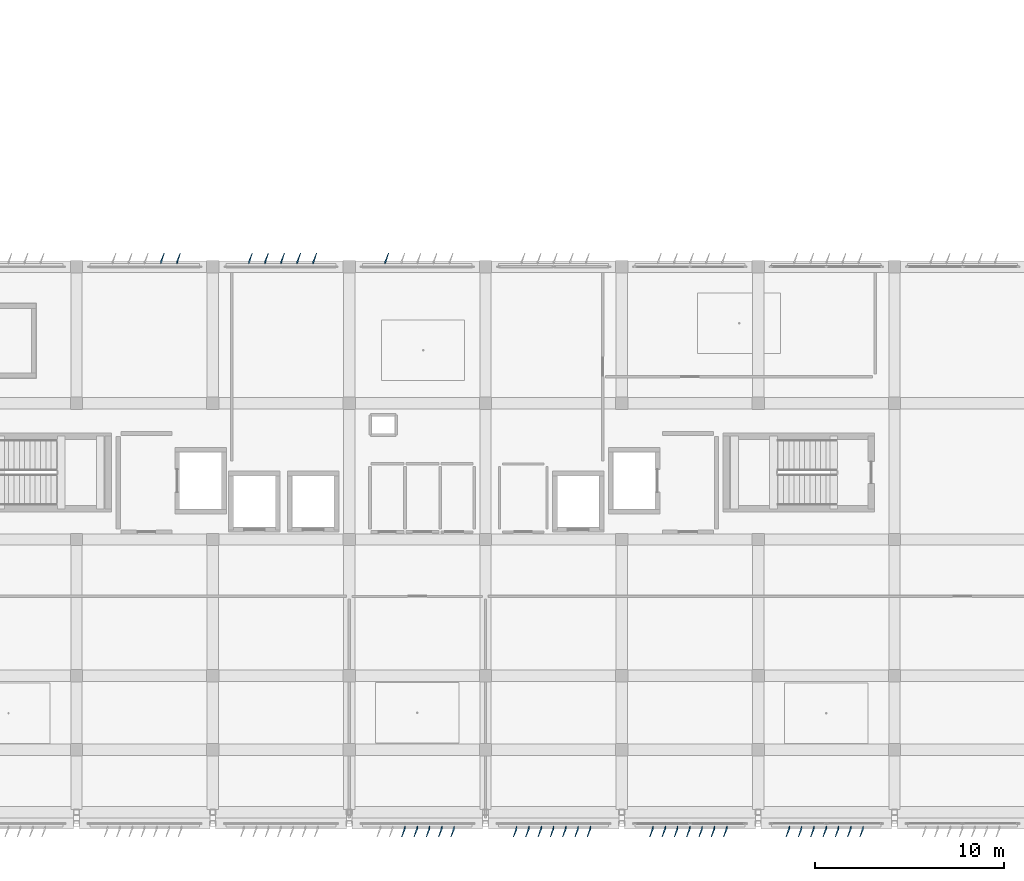
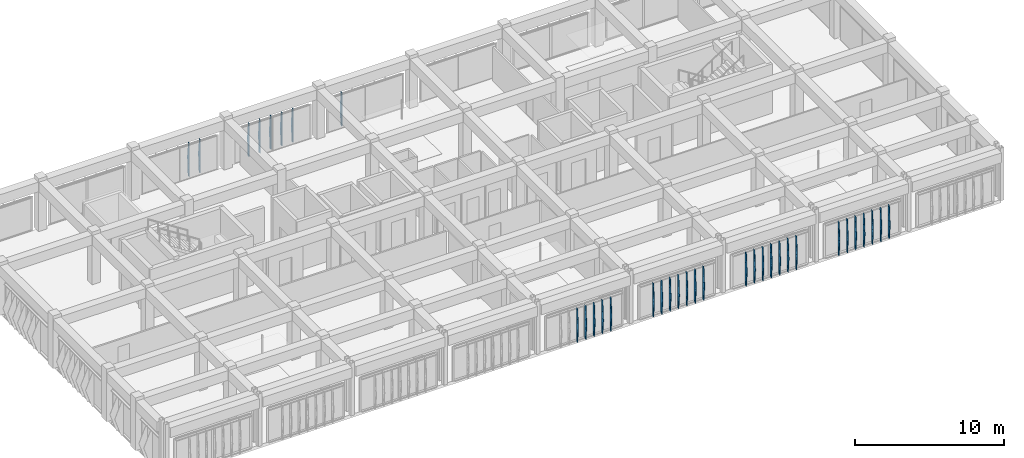
# One storey, part 49 of 53: 34 plates.
"""IFC4 building model written with IfcOpenShell, lengths in metres."""

from ifc_helpers import new_model, si_unit, direction, frame, origin, place, context, subcontext, project, spatial, polygons, material, layer, layer_set, type_object, element, save


model = new_model("IFC4")

# Units and contexts
model_context = context("Model", 3, precision=1e-05, world=origin(), true_north=direction((0.0, 1.0)))
body_context = subcontext(model_context, "Body", "Model", "MODEL_VIEW")
ifc_project = project(units=[si_unit("LENGTHUNIT", "METRE"), si_unit("AREAUNIT", "SQUARE_METRE"), si_unit("VOLUMEUNIT", "CUBIC_METRE"), si_unit("PLANEANGLEUNIT", "RADIAN"), si_unit("MASSUNIT", "GRAM", prefix="KILO")], contexts=[model_context])

# Site, building, storey
site_placement = place(None, origin())
site = spatial("IfcSite", under=ifc_project, at=site_placement, CompositionType="ELEMENT")
building_placement = place(site_placement, origin())
building = spatial("IfcBuilding", under=site, at=building_placement, Name="Kazehaya Institute of Natural Sciences", CompositionType="ELEMENT")
storey_placement = place(building_placement, frame((0.0, 0.0, 33.300048828125)))
storey = spatial("IfcBuildingStorey", under=building, at=storey_placement, Name="L07", CompositionType="ELEMENT", Elevation=33.300048828125)

# Plates
ifc_material = material(Name="Bronze-anodised aluminium alloy A6063S-T5", Category="aluminium")
ifc_layer_1 = layer(ifc_material, 0.02001953125, Name="Bronze-anodised aluminium alloy A6063S-T5", Category="aluminium")
ifc_layer_set_1 = layer_set([ifc_layer_1], Name="Bronze-anodised aluminium alloy A6063S-T5")
plate_type_1 = type_object("IfcPlateType", Name="FIN-DF-N1", PredefinedType="USERDEFINED", material=ifc_layer_set_1)
plate_1_placement = place(storey_placement, origin())
element("IfcPlate", 1, at=plate_1_placement, inside=storey, type_object=plate_type_1, Name="L07 folded diamond-pyramid shading fin FIN-L07-N-0620", ObjectType="SHADING_FIN", PredefinedType="USERDEFINED", context=body_context, shape_type="Tessellation", body=[
    polygons([(73.43994140625, 35.7548828125, 0.0400390625), (73.43994140625, 35.89990234375, 0.0400390625), (73.61865234375, 36.31005859375, 1.409912109375), (73.43994140625, 35.89990234375, 2.780029296875), (73.43994140625, 35.7548828125, 2.780029296875), (73.4599609375, 35.7548828125, 0.0400390625), (73.4599609375, 35.89990234375, 0.0400390625), (73.638671875, 36.31005859375, 1.409912109375), (73.4599609375, 35.89990234375, 2.780029296875), (73.4599609375, 35.7548828125, 2.780029296875)], [[[1, 5, 4, 3, 2]], [[6, 7, 8, 9, 10]], [[1, 2, 7, 6]], [[2, 3, 8, 7]], [[3, 4, 9, 8]], [[4, 5, 10, 9]], [[5, 1, 6, 10]]], closed=True),
])
plate_2_placement = place(storey_placement, origin())
element("IfcPlate", 2, at=plate_2_placement, inside=storey, type_object=plate_type_1, Name="L07 folded diamond-pyramid shading fin FIN-L07-N-0621", ObjectType="SHADING_FIN", PredefinedType="USERDEFINED", context=body_context, shape_type="Tessellation", body=[
    polygons([(74.2900390625, 35.7548828125, 0.0400390625), (74.2900390625, 35.89990234375, 0.0400390625), (74.46875, 36.31005859375, 1.409912109375), (74.2900390625, 35.89990234375, 2.780029296875), (74.2900390625, 35.7548828125, 2.780029296875), (74.31005859375, 35.7548828125, 0.0400390625), (74.31005859375, 35.89990234375, 0.0400390625), (74.48876953125, 36.31005859375, 1.409912109375), (74.31005859375, 35.89990234375, 2.780029296875), (74.31005859375, 35.7548828125, 2.780029296875)], [[[1, 5, 4, 3, 2]], [[6, 7, 8, 9, 10]], [[1, 2, 7, 6]], [[2, 3, 8, 7]], [[3, 4, 9, 8]], [[4, 5, 10, 9]], [[5, 1, 6, 10]]], closed=True),
])
plate_3_placement = place(storey_placement, origin())
element("IfcPlate", 3, at=plate_3_placement, inside=storey, type_object=plate_type_1, Name="L07 folded diamond-pyramid shading fin FIN-L07-N-0622", ObjectType="SHADING_FIN", PredefinedType="USERDEFINED", context=body_context, shape_type="Tessellation", body=[
    polygons([(78.090087890625, 35.7548828125, 0.0400390625), (78.090087890625, 35.89990234375, 0.0400390625), (78.268798828125, 36.31005859375, 1.409912109375), (78.090087890625, 35.89990234375, 2.780029296875), (78.090087890625, 35.7548828125, 2.780029296875), (78.110107421875, 35.7548828125, 0.0400390625), (78.110107421875, 35.89990234375, 0.0400390625), (78.288818359375, 36.31005859375, 1.409912109375), (78.110107421875, 35.89990234375, 2.780029296875), (78.110107421875, 35.7548828125, 2.780029296875)], [[[1, 5, 4, 3, 2]], [[6, 7, 8, 9, 10]], [[1, 2, 7, 6]], [[2, 3, 8, 7]], [[3, 4, 9, 8]], [[4, 5, 10, 9]], [[5, 1, 6, 10]]], closed=True),
])
plate_4_placement = place(storey_placement, origin())
element("IfcPlate", 4, at=plate_4_placement, inside=storey, type_object=plate_type_1, Name="L07 folded diamond-pyramid shading fin FIN-L07-N-0623", ObjectType="SHADING_FIN", PredefinedType="USERDEFINED", context=body_context, shape_type="Tessellation", body=[
    polygons([(78.93994140625, 35.7548828125, 0.0400390625), (78.93994140625, 35.89990234375, 0.0400390625), (79.11865234375, 36.31005859375, 1.409912109375), (78.93994140625, 35.89990234375, 2.780029296875), (78.93994140625, 35.7548828125, 2.780029296875), (78.9599609375, 35.7548828125, 0.0400390625), (78.9599609375, 35.89990234375, 0.0400390625), (79.138671875, 36.31005859375, 1.409912109375), (78.9599609375, 35.89990234375, 2.780029296875), (78.9599609375, 35.7548828125, 2.780029296875)], [[[1, 5, 4, 3, 2]], [[6, 7, 8, 9, 10]], [[1, 2, 7, 6]], [[2, 3, 8, 7]], [[3, 4, 9, 8]], [[4, 5, 10, 9]], [[5, 1, 6, 10]]], closed=True),
])
plate_5_placement = place(storey_placement, origin())
element("IfcPlate", 5, at=plate_5_placement, inside=storey, type_object=plate_type_1, Name="L07 folded diamond-pyramid shading fin FIN-L07-N-0624", ObjectType="SHADING_FIN", PredefinedType="USERDEFINED", context=body_context, shape_type="Tessellation", body=[
    polygons([(79.7900390625, 35.7548828125, 0.0400390625), (79.7900390625, 35.89990234375, 0.0400390625), (79.96875, 36.31005859375, 1.409912109375), (79.7900390625, 35.89990234375, 2.780029296875), (79.7900390625, 35.7548828125, 2.780029296875), (79.81005859375, 35.7548828125, 0.0400390625), (79.81005859375, 35.89990234375, 0.0400390625), (79.98876953125, 36.31005859375, 1.409912109375), (79.81005859375, 35.89990234375, 2.780029296875), (79.81005859375, 35.7548828125, 2.780029296875)], [[[1, 5, 4, 3, 2]], [[6, 7, 8, 9, 10]], [[1, 2, 7, 6]], [[2, 3, 8, 7]], [[3, 4, 9, 8]], [[4, 5, 10, 9]], [[5, 1, 6, 10]]], closed=True),
])
plate_6_placement = place(storey_placement, origin())
element("IfcPlate", 6, at=plate_6_placement, inside=storey, type_object=plate_type_1, Name="L07 folded diamond-pyramid shading fin FIN-L07-N-0625", ObjectType="SHADING_FIN", PredefinedType="USERDEFINED", context=body_context, shape_type="Tessellation", body=[
    polygons([(80.639892578125, 35.7548828125, 0.0400390625), (80.639892578125, 35.89990234375, 0.0400390625), (80.818603515625, 36.31005859375, 1.409912109375), (80.639892578125, 35.89990234375, 2.780029296875), (80.639892578125, 35.7548828125, 2.780029296875), (80.659912109375, 35.7548828125, 0.0400390625), (80.659912109375, 35.89990234375, 0.0400390625), (80.838623046875, 36.31005859375, 1.409912109375), (80.659912109375, 35.89990234375, 2.780029296875), (80.659912109375, 35.7548828125, 2.780029296875)], [[[1, 5, 4, 3, 2]], [[6, 7, 8, 9, 10]], [[1, 2, 7, 6]], [[2, 3, 8, 7]], [[3, 4, 9, 8]], [[4, 5, 10, 9]], [[5, 1, 6, 10]]], closed=True),
])
plate_7_placement = place(storey_placement, origin())
element("IfcPlate", 7, at=plate_7_placement, inside=storey, type_object=plate_type_1, Name="L07 folded diamond-pyramid shading fin FIN-L07-N-0626", ObjectType="SHADING_FIN", PredefinedType="USERDEFINED", context=body_context, shape_type="Tessellation", body=[
    polygons([(81.489990234375, 35.7548828125, 0.0400390625), (81.489990234375, 35.89990234375, 0.0400390625), (81.668701171875, 36.31005859375, 1.409912109375), (81.489990234375, 35.89990234375, 2.780029296875), (81.489990234375, 35.7548828125, 2.780029296875), (81.510009765625, 35.7548828125, 0.0400390625), (81.510009765625, 35.89990234375, 0.0400390625), (81.688720703125, 36.31005859375, 1.409912109375), (81.510009765625, 35.89990234375, 2.780029296875), (81.510009765625, 35.7548828125, 2.780029296875)], [[[1, 5, 4, 3, 2]], [[6, 7, 8, 9, 10]], [[1, 2, 7, 6]], [[2, 3, 8, 7]], [[3, 4, 9, 8]], [[4, 5, 10, 9]], [[5, 1, 6, 10]]], closed=True),
])
plate_8_placement = place(storey_placement, origin())
element("IfcPlate", 8, at=plate_8_placement, inside=storey, type_object=plate_type_1, Name="L07 folded diamond-pyramid shading fin FIN-L07-N-0627", ObjectType="SHADING_FIN", PredefinedType="USERDEFINED", context=body_context, shape_type="Tessellation", body=[
    polygons([(85.2900390625, 35.7548828125, 0.0400390625), (85.2900390625, 35.89990234375, 0.0400390625), (85.46875, 36.31005859375, 1.409912109375), (85.2900390625, 35.89990234375, 2.780029296875), (85.2900390625, 35.7548828125, 2.780029296875), (85.31005859375, 35.7548828125, 0.0400390625), (85.31005859375, 35.89990234375, 0.0400390625), (85.48876953125, 36.31005859375, 1.409912109375), (85.31005859375, 35.89990234375, 2.780029296875), (85.31005859375, 35.7548828125, 2.780029296875)], [[[1, 5, 4, 3, 2]], [[6, 7, 8, 9, 10]], [[1, 2, 7, 6]], [[2, 3, 8, 7]], [[3, 4, 9, 8]], [[4, 5, 10, 9]], [[5, 1, 6, 10]]], closed=True),
])
ifc_layer_2 = layer(ifc_material, 0.02001953125, Name="Bronze-anodised aluminium alloy A6063S-T5", Category="aluminium")
ifc_layer_set_2 = layer_set([ifc_layer_2], Name="Bronze-anodised aluminium alloy A6063S-T5")
plate_type_2 = type_object("IfcPlateType", Name="FIN-DF-S1", PredefinedType="USERDEFINED", material=ifc_layer_set_2)
plate_9_placement = place(storey_placement, origin())
element("IfcPlate", 9, at=plate_9_placement, inside=storey, type_object=plate_type_2, Name="L07 folded diamond-pyramid shading fin FIN-L07-S-0551", ObjectType="SHADING_FIN", PredefinedType="USERDEFINED", context=body_context, shape_type="Tessellation", body=[
    polygons([(110.56005859375, 6.044921875, 0.0400390625), (110.56005859375, 5.89990234375, 0.0400390625), (110.38134765625, 5.489990234375, 1.409912109375), (110.56005859375, 5.89990234375, 2.780029296875), (110.56005859375, 6.044921875, 2.780029296875), (110.5400390625, 6.044921875, 0.0400390625), (110.5400390625, 5.89990234375, 0.0400390625), (110.361328125, 5.489990234375, 1.409912109375), (110.5400390625, 5.89990234375, 2.780029296875), (110.5400390625, 6.044921875, 2.780029296875)], [[[1, 5, 4, 3, 2]], [[6, 7, 8, 9, 10]], [[1, 2, 7, 6]], [[2, 3, 8, 7]], [[3, 4, 9, 8]], [[4, 5, 10, 9]], [[5, 1, 6, 10]]], closed=True),
])
plate_10_placement = place(storey_placement, origin())
element("IfcPlate", 10, at=plate_10_placement, inside=storey, type_object=plate_type_2, Name="L07 folded diamond-pyramid shading fin FIN-L07-S-0552", ObjectType="SHADING_FIN", PredefinedType="USERDEFINED", context=body_context, shape_type="Tessellation", body=[
    polygons([(109.909912109375, 6.044921875, 0.0400390625), (109.909912109375, 5.89990234375, 0.0400390625), (109.731201171875, 5.489990234375, 1.409912109375), (109.909912109375, 5.89990234375, 2.780029296875), (109.909912109375, 6.044921875, 2.780029296875), (109.889892578125, 6.044921875, 0.0400390625), (109.889892578125, 5.89990234375, 0.0400390625), (109.711181640625, 5.489990234375, 1.409912109375), (109.889892578125, 5.89990234375, 2.780029296875), (109.889892578125, 6.044921875, 2.780029296875)], [[[1, 5, 4, 3, 2]], [[6, 7, 8, 9, 10]], [[1, 2, 7, 6]], [[2, 3, 8, 7]], [[3, 4, 9, 8]], [[4, 5, 10, 9]], [[5, 1, 6, 10]]], closed=True),
])
plate_11_placement = place(storey_placement, origin())
element("IfcPlate", 11, at=plate_11_placement, inside=storey, type_object=plate_type_2, Name="L07 folded diamond-pyramid shading fin FIN-L07-S-0553", ObjectType="SHADING_FIN", PredefinedType="USERDEFINED", context=body_context, shape_type="Tessellation", body=[
    polygons([(109.260009765625, 6.044921875, 0.0400390625), (109.260009765625, 5.89990234375, 0.0400390625), (109.081298828125, 5.489990234375, 1.409912109375), (109.260009765625, 5.89990234375, 2.780029296875), (109.260009765625, 6.044921875, 2.780029296875), (109.239990234375, 6.044921875, 0.0400390625), (109.239990234375, 5.89990234375, 0.0400390625), (109.061279296875, 5.489990234375, 1.409912109375), (109.239990234375, 5.89990234375, 2.780029296875), (109.239990234375, 6.044921875, 2.780029296875)], [[[1, 5, 4, 3, 2]], [[6, 7, 8, 9, 10]], [[1, 2, 7, 6]], [[2, 3, 8, 7]], [[3, 4, 9, 8]], [[4, 5, 10, 9]], [[5, 1, 6, 10]]], closed=True),
])
plate_12_placement = place(storey_placement, origin())
element("IfcPlate", 12, at=plate_12_placement, inside=storey, type_object=plate_type_2, Name="L07 folded diamond-pyramid shading fin FIN-L07-S-0554", ObjectType="SHADING_FIN", PredefinedType="USERDEFINED", context=body_context, shape_type="Tessellation", body=[
    polygons([(108.610107421875, 6.044921875, 0.0400390625), (108.610107421875, 5.89990234375, 0.0400390625), (108.431396484375, 5.489990234375, 1.409912109375), (108.610107421875, 5.89990234375, 2.780029296875), (108.610107421875, 6.044921875, 2.780029296875), (108.590087890625, 6.044921875, 0.0400390625), (108.590087890625, 5.89990234375, 0.0400390625), (108.411376953125, 5.489990234375, 1.409912109375), (108.590087890625, 5.89990234375, 2.780029296875), (108.590087890625, 6.044921875, 2.780029296875)], [[[1, 5, 4, 3, 2]], [[6, 7, 8, 9, 10]], [[1, 2, 7, 6]], [[2, 3, 8, 7]], [[3, 4, 9, 8]], [[4, 5, 10, 9]], [[5, 1, 6, 10]]], closed=True),
])
plate_13_placement = place(storey_placement, origin())
element("IfcPlate", 13, at=plate_13_placement, inside=storey, type_object=plate_type_2, Name="L07 folded diamond-pyramid shading fin FIN-L07-S-0555", ObjectType="SHADING_FIN", PredefinedType="USERDEFINED", context=body_context, shape_type="Tessellation", body=[
    polygons([(107.9599609375, 6.044921875, 0.0400390625), (107.9599609375, 5.89990234375, 0.0400390625), (107.78125, 5.489990234375, 1.409912109375), (107.9599609375, 5.89990234375, 2.780029296875), (107.9599609375, 6.044921875, 2.780029296875), (107.93994140625, 6.044921875, 0.0400390625), (107.93994140625, 5.89990234375, 0.0400390625), (107.76123046875, 5.489990234375, 1.409912109375), (107.93994140625, 5.89990234375, 2.780029296875), (107.93994140625, 6.044921875, 2.780029296875)], [[[1, 5, 4, 3, 2]], [[6, 7, 8, 9, 10]], [[1, 2, 7, 6]], [[2, 3, 8, 7]], [[3, 4, 9, 8]], [[4, 5, 10, 9]], [[5, 1, 6, 10]]], closed=True),
])
plate_14_placement = place(storey_placement, origin())
element("IfcPlate", 14, at=plate_14_placement, inside=storey, type_object=plate_type_2, Name="L07 folded diamond-pyramid shading fin FIN-L07-S-0556", ObjectType="SHADING_FIN", PredefinedType="USERDEFINED", context=body_context, shape_type="Tessellation", body=[
    polygons([(107.31005859375, 6.044921875, 0.0400390625), (107.31005859375, 5.89990234375, 0.0400390625), (107.13134765625, 5.489990234375, 1.409912109375), (107.31005859375, 5.89990234375, 2.780029296875), (107.31005859375, 6.044921875, 2.780029296875), (107.2900390625, 6.044921875, 0.0400390625), (107.2900390625, 5.89990234375, 0.0400390625), (107.111328125, 5.489990234375, 1.409912109375), (107.2900390625, 5.89990234375, 2.780029296875), (107.2900390625, 6.044921875, 2.780029296875)], [[[1, 5, 4, 3, 2]], [[6, 7, 8, 9, 10]], [[1, 2, 7, 6]], [[2, 3, 8, 7]], [[3, 4, 9, 8]], [[4, 5, 10, 9]], [[5, 1, 6, 10]]], closed=True),
])
plate_15_placement = place(storey_placement, origin())
element("IfcPlate", 15, at=plate_15_placement, inside=storey, type_object=plate_type_2, Name="L07 folded diamond-pyramid shading fin FIN-L07-S-0557", ObjectType="SHADING_FIN", PredefinedType="USERDEFINED", context=body_context, shape_type="Tessellation", body=[
    polygons([(106.659912109375, 6.044921875, 0.0400390625), (106.659912109375, 5.89990234375, 0.0400390625), (106.481201171875, 5.489990234375, 1.409912109375), (106.659912109375, 5.89990234375, 2.780029296875), (106.659912109375, 6.044921875, 2.780029296875), (106.639892578125, 6.044921875, 0.0400390625), (106.639892578125, 5.89990234375, 0.0400390625), (106.461181640625, 5.489990234375, 1.409912109375), (106.639892578125, 5.89990234375, 2.780029296875), (106.639892578125, 6.044921875, 2.780029296875)], [[[1, 5, 4, 3, 2]], [[6, 7, 8, 9, 10]], [[1, 2, 7, 6]], [[2, 3, 8, 7]], [[3, 4, 9, 8]], [[4, 5, 10, 9]], [[5, 1, 6, 10]]], closed=True),
])
plate_16_placement = place(storey_placement, origin())
element("IfcPlate", 16, at=plate_16_placement, inside=storey, type_object=plate_type_2, Name="L07 folded diamond-pyramid shading fin FIN-L07-S-0558", ObjectType="SHADING_FIN", PredefinedType="USERDEFINED", context=body_context, shape_type="Tessellation", body=[
    polygons([(103.360107421875, 6.044921875, 0.0400390625), (103.360107421875, 5.89990234375, 0.0400390625), (103.181396484375, 5.489990234375, 1.409912109375), (103.360107421875, 5.89990234375, 2.780029296875), (103.360107421875, 6.044921875, 2.780029296875), (103.340087890625, 6.044921875, 0.0400390625), (103.340087890625, 5.89990234375, 0.0400390625), (103.161376953125, 5.489990234375, 1.409912109375), (103.340087890625, 5.89990234375, 2.780029296875), (103.340087890625, 6.044921875, 2.780029296875)], [[[1, 5, 4, 3, 2]], [[6, 7, 8, 9, 10]], [[1, 2, 7, 6]], [[2, 3, 8, 7]], [[3, 4, 9, 8]], [[4, 5, 10, 9]], [[5, 1, 6, 10]]], closed=True),
])
plate_17_placement = place(storey_placement, origin())
element("IfcPlate", 17, at=plate_17_placement, inside=storey, type_object=plate_type_2, Name="L07 folded diamond-pyramid shading fin FIN-L07-S-0559", ObjectType="SHADING_FIN", PredefinedType="USERDEFINED", context=body_context, shape_type="Tessellation", body=[
    polygons([(102.7099609375, 6.044921875, 0.0400390625), (102.7099609375, 5.89990234375, 0.0400390625), (102.53125, 5.489990234375, 1.409912109375), (102.7099609375, 5.89990234375, 2.780029296875), (102.7099609375, 6.044921875, 2.780029296875), (102.68994140625, 6.044921875, 0.0400390625), (102.68994140625, 5.89990234375, 0.0400390625), (102.51123046875, 5.489990234375, 1.409912109375), (102.68994140625, 5.89990234375, 2.780029296875), (102.68994140625, 6.044921875, 2.780029296875)], [[[1, 5, 4, 3, 2]], [[6, 7, 8, 9, 10]], [[1, 2, 7, 6]], [[2, 3, 8, 7]], [[3, 4, 9, 8]], [[4, 5, 10, 9]], [[5, 1, 6, 10]]], closed=True),
])
plate_18_placement = place(storey_placement, origin())
element("IfcPlate", 18, at=plate_18_placement, inside=storey, type_object=plate_type_2, Name="L07 folded diamond-pyramid shading fin FIN-L07-S-0560", ObjectType="SHADING_FIN", PredefinedType="USERDEFINED", context=body_context, shape_type="Tessellation", body=[
    polygons([(102.06005859375, 6.044921875, 0.0400390625), (102.06005859375, 5.89990234375, 0.0400390625), (101.88134765625, 5.489990234375, 1.409912109375), (102.06005859375, 5.89990234375, 2.780029296875), (102.06005859375, 6.044921875, 2.780029296875), (102.0400390625, 6.044921875, 0.0400390625), (102.0400390625, 5.89990234375, 0.0400390625), (101.861328125, 5.489990234375, 1.409912109375), (102.0400390625, 5.89990234375, 2.780029296875), (102.0400390625, 6.044921875, 2.780029296875)], [[[1, 5, 4, 3, 2]], [[6, 7, 8, 9, 10]], [[1, 2, 7, 6]], [[2, 3, 8, 7]], [[3, 4, 9, 8]], [[4, 5, 10, 9]], [[5, 1, 6, 10]]], closed=True),
])
plate_19_placement = place(storey_placement, origin())
element("IfcPlate", 19, at=plate_19_placement, inside=storey, type_object=plate_type_2, Name="L07 folded diamond-pyramid shading fin FIN-L07-S-0561", ObjectType="SHADING_FIN", PredefinedType="USERDEFINED", context=body_context, shape_type="Tessellation", body=[
    polygons([(101.409912109375, 6.044921875, 0.0400390625), (101.409912109375, 5.89990234375, 0.0400390625), (101.231201171875, 5.489990234375, 1.409912109375), (101.409912109375, 5.89990234375, 2.780029296875), (101.409912109375, 6.044921875, 2.780029296875), (101.389892578125, 6.044921875, 0.0400390625), (101.389892578125, 5.89990234375, 0.0400390625), (101.211181640625, 5.489990234375, 1.409912109375), (101.389892578125, 5.89990234375, 2.780029296875), (101.389892578125, 6.044921875, 2.780029296875)], [[[1, 5, 4, 3, 2]], [[6, 7, 8, 9, 10]], [[1, 2, 7, 6]], [[2, 3, 8, 7]], [[3, 4, 9, 8]], [[4, 5, 10, 9]], [[5, 1, 6, 10]]], closed=True),
])
plate_20_placement = place(storey_placement, origin())
element("IfcPlate", 20, at=plate_20_placement, inside=storey, type_object=plate_type_2, Name="L07 folded diamond-pyramid shading fin FIN-L07-S-0562", ObjectType="SHADING_FIN", PredefinedType="USERDEFINED", context=body_context, shape_type="Tessellation", body=[
    polygons([(100.760009765625, 6.044921875, 0.0400390625), (100.760009765625, 5.89990234375, 0.0400390625), (100.581298828125, 5.489990234375, 1.409912109375), (100.760009765625, 5.89990234375, 2.780029296875), (100.760009765625, 6.044921875, 2.780029296875), (100.739990234375, 6.044921875, 0.0400390625), (100.739990234375, 5.89990234375, 0.0400390625), (100.561279296875, 5.489990234375, 1.409912109375), (100.739990234375, 5.89990234375, 2.780029296875), (100.739990234375, 6.044921875, 2.780029296875)], [[[1, 5, 4, 3, 2]], [[6, 7, 8, 9, 10]], [[1, 2, 7, 6]], [[2, 3, 8, 7]], [[3, 4, 9, 8]], [[4, 5, 10, 9]], [[5, 1, 6, 10]]], closed=True),
])
plate_21_placement = place(storey_placement, origin())
element("IfcPlate", 21, at=plate_21_placement, inside=storey, type_object=plate_type_2, Name="L07 folded diamond-pyramid shading fin FIN-L07-S-0563", ObjectType="SHADING_FIN", PredefinedType="USERDEFINED", context=body_context, shape_type="Tessellation", body=[
    polygons([(100.110107421875, 6.044921875, 0.0400390625), (100.110107421875, 5.89990234375, 0.0400390625), (99.931396484375, 5.489990234375, 1.409912109375), (100.110107421875, 5.89990234375, 2.780029296875), (100.110107421875, 6.044921875, 2.780029296875), (100.090087890625, 6.044921875, 0.0400390625), (100.090087890625, 5.89990234375, 0.0400390625), (99.911376953125, 5.489990234375, 1.409912109375), (100.090087890625, 5.89990234375, 2.780029296875), (100.090087890625, 6.044921875, 2.780029296875)], [[[1, 5, 4, 3, 2]], [[6, 7, 8, 9, 10]], [[1, 2, 7, 6]], [[2, 3, 8, 7]], [[3, 4, 9, 8]], [[4, 5, 10, 9]], [[5, 1, 6, 10]]], closed=True),
])
plate_22_placement = place(storey_placement, origin())
element("IfcPlate", 22, at=plate_22_placement, inside=storey, type_object=plate_type_2, Name="L07 folded diamond-pyramid shading fin FIN-L07-S-0564", ObjectType="SHADING_FIN", PredefinedType="USERDEFINED", context=body_context, shape_type="Tessellation", body=[
    polygons([(99.4599609375, 6.044921875, 0.0400390625), (99.4599609375, 5.89990234375, 0.0400390625), (99.28125, 5.489990234375, 1.409912109375), (99.4599609375, 5.89990234375, 2.780029296875), (99.4599609375, 6.044921875, 2.780029296875), (99.43994140625, 6.044921875, 0.0400390625), (99.43994140625, 5.89990234375, 0.0400390625), (99.26123046875, 5.489990234375, 1.409912109375), (99.43994140625, 5.89990234375, 2.780029296875), (99.43994140625, 6.044921875, 2.780029296875)], [[[1, 5, 4, 3, 2]], [[6, 7, 8, 9, 10]], [[1, 2, 7, 6]], [[2, 3, 8, 7]], [[3, 4, 9, 8]], [[4, 5, 10, 9]], [[5, 1, 6, 10]]], closed=True),
])
plate_23_placement = place(storey_placement, origin())
element("IfcPlate", 23, at=plate_23_placement, inside=storey, type_object=plate_type_2, Name="L07 folded diamond-pyramid shading fin FIN-L07-S-0565", ObjectType="SHADING_FIN", PredefinedType="USERDEFINED", context=body_context, shape_type="Tessellation", body=[
    polygons([(96.159912109375, 6.044921875, 0.0400390625), (96.159912109375, 5.89990234375, 0.0400390625), (95.981201171875, 5.489990234375, 1.409912109375), (96.159912109375, 5.89990234375, 2.780029296875), (96.159912109375, 6.044921875, 2.780029296875), (96.139892578125, 6.044921875, 0.0400390625), (96.139892578125, 5.89990234375, 0.0400390625), (95.961181640625, 5.489990234375, 1.409912109375), (96.139892578125, 5.89990234375, 2.780029296875), (96.139892578125, 6.044921875, 2.780029296875)], [[[1, 5, 4, 3, 2]], [[6, 7, 8, 9, 10]], [[1, 2, 7, 6]], [[2, 3, 8, 7]], [[3, 4, 9, 8]], [[4, 5, 10, 9]], [[5, 1, 6, 10]]], closed=True),
])
plate_24_placement = place(storey_placement, origin())
element("IfcPlate", 24, at=plate_24_placement, inside=storey, type_object=plate_type_2, Name="L07 folded diamond-pyramid shading fin FIN-L07-S-0566", ObjectType="SHADING_FIN", PredefinedType="USERDEFINED", context=body_context, shape_type="Tessellation", body=[
    polygons([(95.510009765625, 6.044921875, 0.0400390625), (95.510009765625, 5.89990234375, 0.0400390625), (95.331298828125, 5.489990234375, 1.409912109375), (95.510009765625, 5.89990234375, 2.780029296875), (95.510009765625, 6.044921875, 2.780029296875), (95.489990234375, 6.044921875, 0.0400390625), (95.489990234375, 5.89990234375, 0.0400390625), (95.311279296875, 5.489990234375, 1.409912109375), (95.489990234375, 5.89990234375, 2.780029296875), (95.489990234375, 6.044921875, 2.780029296875)], [[[1, 5, 4, 3, 2]], [[6, 7, 8, 9, 10]], [[1, 2, 7, 6]], [[2, 3, 8, 7]], [[3, 4, 9, 8]], [[4, 5, 10, 9]], [[5, 1, 6, 10]]], closed=True),
])
plate_25_placement = place(storey_placement, origin())
element("IfcPlate", 25, at=plate_25_placement, inside=storey, type_object=plate_type_2, Name="L07 folded diamond-pyramid shading fin FIN-L07-S-0567", ObjectType="SHADING_FIN", PredefinedType="USERDEFINED", context=body_context, shape_type="Tessellation", body=[
    polygons([(94.860107421875, 6.044921875, 0.0400390625), (94.860107421875, 5.89990234375, 0.0400390625), (94.681396484375, 5.489990234375, 1.409912109375), (94.860107421875, 5.89990234375, 2.780029296875), (94.860107421875, 6.044921875, 2.780029296875), (94.840087890625, 6.044921875, 0.0400390625), (94.840087890625, 5.89990234375, 0.0400390625), (94.661376953125, 5.489990234375, 1.409912109375), (94.840087890625, 5.89990234375, 2.780029296875), (94.840087890625, 6.044921875, 2.780029296875)], [[[1, 5, 4, 3, 2]], [[6, 7, 8, 9, 10]], [[1, 2, 7, 6]], [[2, 3, 8, 7]], [[3, 4, 9, 8]], [[4, 5, 10, 9]], [[5, 1, 6, 10]]], closed=True),
])
plate_26_placement = place(storey_placement, origin())
element("IfcPlate", 26, at=plate_26_placement, inside=storey, type_object=plate_type_2, Name="L07 folded diamond-pyramid shading fin FIN-L07-S-0568", ObjectType="SHADING_FIN", PredefinedType="USERDEFINED", context=body_context, shape_type="Tessellation", body=[
    polygons([(94.2099609375, 6.044921875, 0.0400390625), (94.2099609375, 5.89990234375, 0.0400390625), (94.03125, 5.489990234375, 1.409912109375), (94.2099609375, 5.89990234375, 2.780029296875), (94.2099609375, 6.044921875, 2.780029296875), (94.18994140625, 6.044921875, 0.0400390625), (94.18994140625, 5.89990234375, 0.0400390625), (94.01123046875, 5.489990234375, 1.409912109375), (94.18994140625, 5.89990234375, 2.780029296875), (94.18994140625, 6.044921875, 2.780029296875)], [[[1, 5, 4, 3, 2]], [[6, 7, 8, 9, 10]], [[1, 2, 7, 6]], [[2, 3, 8, 7]], [[3, 4, 9, 8]], [[4, 5, 10, 9]], [[5, 1, 6, 10]]], closed=True),
])
plate_27_placement = place(storey_placement, origin())
element("IfcPlate", 27, at=plate_27_placement, inside=storey, type_object=plate_type_2, Name="L07 folded diamond-pyramid shading fin FIN-L07-S-0569", ObjectType="SHADING_FIN", PredefinedType="USERDEFINED", context=body_context, shape_type="Tessellation", body=[
    polygons([(93.56005859375, 6.044921875, 0.0400390625), (93.56005859375, 5.89990234375, 0.0400390625), (93.38134765625, 5.489990234375, 1.409912109375), (93.56005859375, 5.89990234375, 2.780029296875), (93.56005859375, 6.044921875, 2.780029296875), (93.5400390625, 6.044921875, 0.0400390625), (93.5400390625, 5.89990234375, 0.0400390625), (93.361328125, 5.489990234375, 1.409912109375), (93.5400390625, 5.89990234375, 2.780029296875), (93.5400390625, 6.044921875, 2.780029296875)], [[[1, 5, 4, 3, 2]], [[6, 7, 8, 9, 10]], [[1, 2, 7, 6]], [[2, 3, 8, 7]], [[3, 4, 9, 8]], [[4, 5, 10, 9]], [[5, 1, 6, 10]]], closed=True),
])
plate_28_placement = place(storey_placement, origin())
element("IfcPlate", 28, at=plate_28_placement, inside=storey, type_object=plate_type_2, Name="L07 folded diamond-pyramid shading fin FIN-L07-S-0570", ObjectType="SHADING_FIN", PredefinedType="USERDEFINED", context=body_context, shape_type="Tessellation", body=[
    polygons([(92.909912109375, 6.044921875, 0.0400390625), (92.909912109375, 5.89990234375, 0.0400390625), (92.731201171875, 5.489990234375, 1.409912109375), (92.909912109375, 5.89990234375, 2.780029296875), (92.909912109375, 6.044921875, 2.780029296875), (92.889892578125, 6.044921875, 0.0400390625), (92.889892578125, 5.89990234375, 0.0400390625), (92.711181640625, 5.489990234375, 1.409912109375), (92.889892578125, 5.89990234375, 2.780029296875), (92.889892578125, 6.044921875, 2.780029296875)], [[[1, 5, 4, 3, 2]], [[6, 7, 8, 9, 10]], [[1, 2, 7, 6]], [[2, 3, 8, 7]], [[3, 4, 9, 8]], [[4, 5, 10, 9]], [[5, 1, 6, 10]]], closed=True),
])
plate_29_placement = place(storey_placement, origin())
element("IfcPlate", 29, at=plate_29_placement, inside=storey, type_object=plate_type_2, Name="L07 folded diamond-pyramid shading fin FIN-L07-S-0571", ObjectType="SHADING_FIN", PredefinedType="USERDEFINED", context=body_context, shape_type="Tessellation", body=[
    polygons([(92.260009765625, 6.044921875, 0.0400390625), (92.260009765625, 5.89990234375, 0.0400390625), (92.081298828125, 5.489990234375, 1.409912109375), (92.260009765625, 5.89990234375, 2.780029296875), (92.260009765625, 6.044921875, 2.780029296875), (92.239990234375, 6.044921875, 0.0400390625), (92.239990234375, 5.89990234375, 0.0400390625), (92.061279296875, 5.489990234375, 1.409912109375), (92.239990234375, 5.89990234375, 2.780029296875), (92.239990234375, 6.044921875, 2.780029296875)], [[[1, 5, 4, 3, 2]], [[6, 7, 8, 9, 10]], [[1, 2, 7, 6]], [[2, 3, 8, 7]], [[3, 4, 9, 8]], [[4, 5, 10, 9]], [[5, 1, 6, 10]]], closed=True),
])
plate_30_placement = place(storey_placement, origin())
element("IfcPlate", 30, at=plate_30_placement, inside=storey, type_object=plate_type_2, Name="L07 folded diamond-pyramid shading fin FIN-L07-S-0572", ObjectType="SHADING_FIN", PredefinedType="USERDEFINED", context=body_context, shape_type="Tessellation", body=[
    polygons([(88.9599609375, 6.044921875, 0.0400390625), (88.9599609375, 5.89990234375, 0.0400390625), (88.78125, 5.489990234375, 1.409912109375), (88.9599609375, 5.89990234375, 2.780029296875), (88.9599609375, 6.044921875, 2.780029296875), (88.93994140625, 6.044921875, 0.0400390625), (88.93994140625, 5.89990234375, 0.0400390625), (88.76123046875, 5.489990234375, 1.409912109375), (88.93994140625, 5.89990234375, 2.780029296875), (88.93994140625, 6.044921875, 2.780029296875)], [[[1, 5, 4, 3, 2]], [[6, 7, 8, 9, 10]], [[1, 2, 7, 6]], [[2, 3, 8, 7]], [[3, 4, 9, 8]], [[4, 5, 10, 9]], [[5, 1, 6, 10]]], closed=True),
])
plate_31_placement = place(storey_placement, origin())
element("IfcPlate", 31, at=plate_31_placement, inside=storey, type_object=plate_type_2, Name="L07 folded diamond-pyramid shading fin FIN-L07-S-0573", ObjectType="SHADING_FIN", PredefinedType="USERDEFINED", context=body_context, shape_type="Tessellation", body=[
    polygons([(88.31005859375, 6.044921875, 0.0400390625), (88.31005859375, 5.89990234375, 0.0400390625), (88.13134765625, 5.489990234375, 1.409912109375), (88.31005859375, 5.89990234375, 2.780029296875), (88.31005859375, 6.044921875, 2.780029296875), (88.2900390625, 6.044921875, 0.0400390625), (88.2900390625, 5.89990234375, 0.0400390625), (88.111328125, 5.489990234375, 1.409912109375), (88.2900390625, 5.89990234375, 2.780029296875), (88.2900390625, 6.044921875, 2.780029296875)], [[[1, 5, 4, 3, 2]], [[6, 7, 8, 9, 10]], [[1, 2, 7, 6]], [[2, 3, 8, 7]], [[3, 4, 9, 8]], [[4, 5, 10, 9]], [[5, 1, 6, 10]]], closed=True),
])
plate_32_placement = place(storey_placement, origin())
element("IfcPlate", 32, at=plate_32_placement, inside=storey, type_object=plate_type_2, Name="L07 folded diamond-pyramid shading fin FIN-L07-S-0574", ObjectType="SHADING_FIN", PredefinedType="USERDEFINED", context=body_context, shape_type="Tessellation", body=[
    polygons([(87.659912109375, 6.044921875, 0.0400390625), (87.659912109375, 5.89990234375, 0.0400390625), (87.481201171875, 5.489990234375, 1.409912109375), (87.659912109375, 5.89990234375, 2.780029296875), (87.659912109375, 6.044921875, 2.780029296875), (87.639892578125, 6.044921875, 0.0400390625), (87.639892578125, 5.89990234375, 0.0400390625), (87.461181640625, 5.489990234375, 1.409912109375), (87.639892578125, 5.89990234375, 2.780029296875), (87.639892578125, 6.044921875, 2.780029296875)], [[[1, 5, 4, 3, 2]], [[6, 7, 8, 9, 10]], [[1, 2, 7, 6]], [[2, 3, 8, 7]], [[3, 4, 9, 8]], [[4, 5, 10, 9]], [[5, 1, 6, 10]]], closed=True),
])
plate_33_placement = place(storey_placement, origin())
element("IfcPlate", 33, at=plate_33_placement, inside=storey, type_object=plate_type_2, Name="L07 folded diamond-pyramid shading fin FIN-L07-S-0575", ObjectType="SHADING_FIN", PredefinedType="USERDEFINED", context=body_context, shape_type="Tessellation", body=[
    polygons([(87.010009765625, 6.044921875, 0.0400390625), (87.010009765625, 5.89990234375, 0.0400390625), (86.831298828125, 5.489990234375, 1.409912109375), (87.010009765625, 5.89990234375, 2.780029296875), (87.010009765625, 6.044921875, 2.780029296875), (86.989990234375, 6.044921875, 0.0400390625), (86.989990234375, 5.89990234375, 0.0400390625), (86.811279296875, 5.489990234375, 1.409912109375), (86.989990234375, 5.89990234375, 2.780029296875), (86.989990234375, 6.044921875, 2.780029296875)], [[[1, 5, 4, 3, 2]], [[6, 7, 8, 9, 10]], [[1, 2, 7, 6]], [[2, 3, 8, 7]], [[3, 4, 9, 8]], [[4, 5, 10, 9]], [[5, 1, 6, 10]]], closed=True),
])
plate_34_placement = place(storey_placement, origin())
element("IfcPlate", 34, at=plate_34_placement, inside=storey, type_object=plate_type_2, Name="L07 folded diamond-pyramid shading fin FIN-L07-S-0576", ObjectType="SHADING_FIN", PredefinedType="USERDEFINED", context=body_context, shape_type="Tessellation", body=[
    polygons([(86.360107421875, 6.044921875, 0.0400390625), (86.360107421875, 5.89990234375, 0.0400390625), (86.181396484375, 5.489990234375, 1.409912109375), (86.360107421875, 5.89990234375, 2.780029296875), (86.360107421875, 6.044921875, 2.780029296875), (86.340087890625, 6.044921875, 0.0400390625), (86.340087890625, 5.89990234375, 0.0400390625), (86.161376953125, 5.489990234375, 1.409912109375), (86.340087890625, 5.89990234375, 2.780029296875), (86.340087890625, 6.044921875, 2.780029296875)], [[[1, 5, 4, 3, 2]], [[6, 7, 8, 9, 10]], [[1, 2, 7, 6]], [[2, 3, 8, 7]], [[3, 4, 9, 8]], [[4, 5, 10, 9]], [[5, 1, 6, 10]]], closed=True),
])

save(model, "model.ifc")
